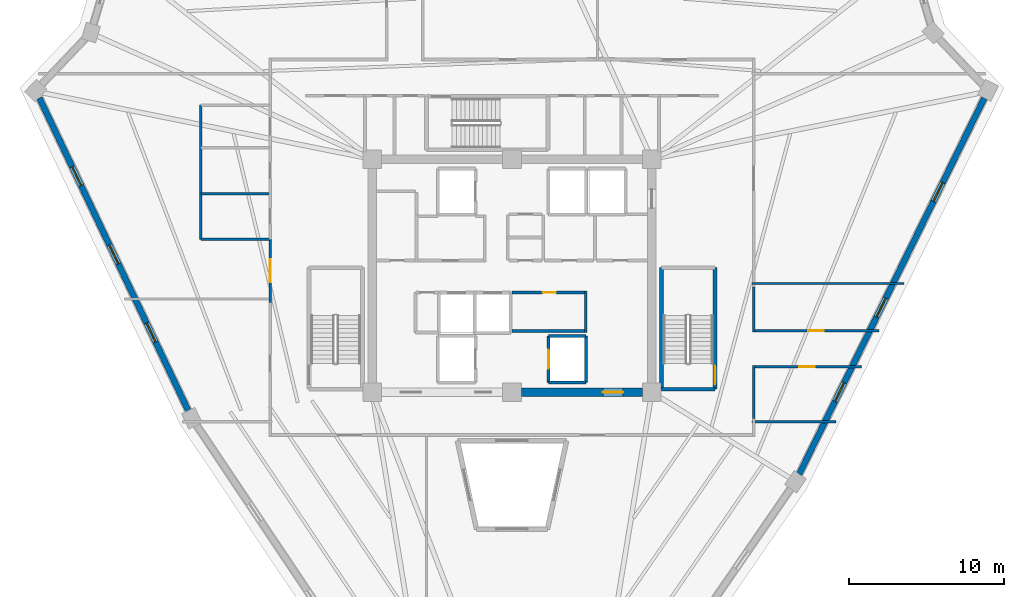
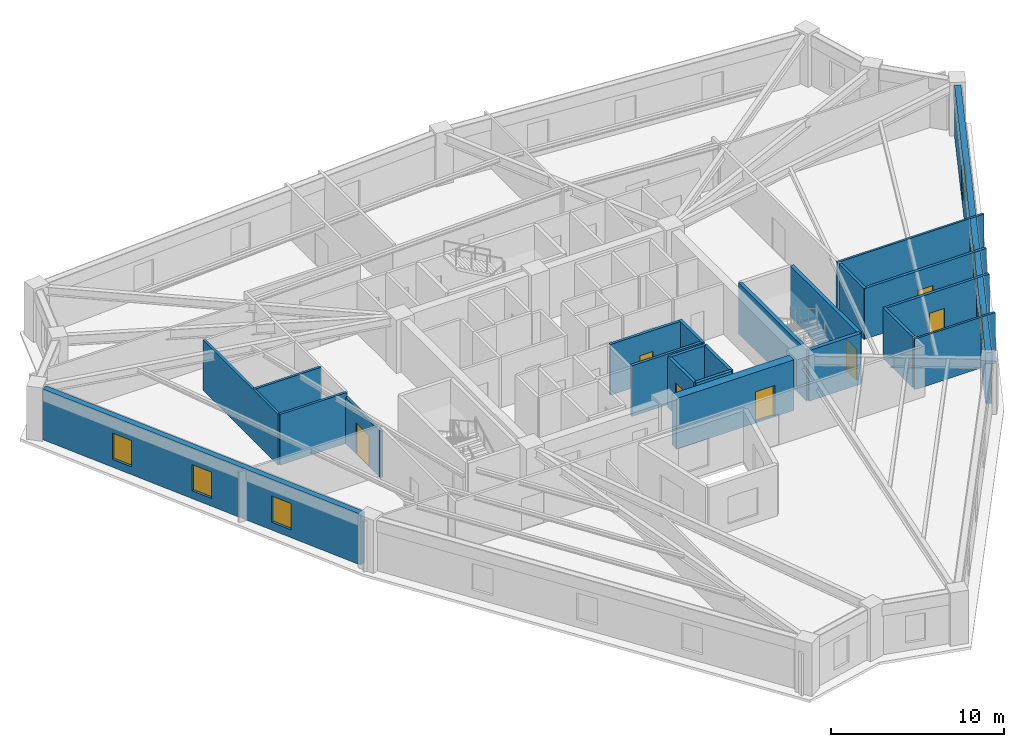
# One storey, part 4 of 8: 23 walls, 7 doors, 6 windows, 13 openings.
"""IFC4 building model written with IfcOpenShell, lengths in metres."""

from ifc_helpers import new_model, si_unit, direction, frame, frame_2d, origin, place, context, subcontext, project, spatial, rectangle, extrude, source, transform, mapped, material, layer, layer_set, type_object, element, fill, save


model = new_model("IFC4")

# Units and contexts
model_context = context("Model", 3, precision=1e-05, world=origin(), true_north=direction((0.0, 1.0)))
body_context = subcontext(model_context, "Body", "Model", "MODEL_VIEW")
ifc_project = project(units=[si_unit("LENGTHUNIT", "METRE"), si_unit("AREAUNIT", "SQUARE_METRE"), si_unit("VOLUMEUNIT", "CUBIC_METRE"), si_unit("PLANEANGLEUNIT", "RADIAN"), si_unit("MASSUNIT", "GRAM", prefix="KILO")], contexts=[model_context])

# Site, building, storey
site_placement = place(None, origin())
site = spatial("IfcSite", under=ifc_project, at=site_placement, CompositionType="ELEMENT")
building_placement = place(site_placement, origin())
building = spatial("IfcBuilding", under=site, at=building_placement, Name="Liaohun Quay Tower", CompositionType="ELEMENT")
storey_placement = place(building_placement, frame((0.0, 0.0, 294.0)))
storey = spatial("IfcBuildingStorey", under=building, at=storey_placement, Name="L76", CompositionType="ELEMENT", Elevation=294.0)

# Wall, opening, door
ifc_material_1 = material(Name="Concrete C50", Category="concrete")
ifc_layer_1 = layer(ifc_material_1, 0.550048828125, Name="Concrete C50", Category="concrete")
ifc_layer_set_1 = layer_set([ifc_layer_1], Name="Concrete C50")
wall_type_1 = type_object("IfcWallType", Name="WAL-COR-Z4", PredefinedType="SHEAR", material=ifc_layer_set_1)
wall_1_placement = place(storey_placement, frame((68.39990234375, 46.5, 0.0), z_axis=(0.0, 0.0, 1.0), x_axis=(-1.0, 0.0, 0.0)))
wall_1 = element("IfcWall", 1, at=wall_1_placement, inside=storey, type_object=wall_type_1, Name="L76 Central Core Shear Wall S-E", PredefinedType="SHEAR", context=body_context, shape_type="SweptSolid", body=[
    extrude(rectangle(XDim=7.7998046875, YDim=0.550048828125, at=frame_2d((3.89990234375, 0.0))), origin(), (0.0, 0.0, 1.0), 3.570068359375),
])
shared_shape_1 = source(origin(), body_context, "Body", "SweptSolid", [
    extrude(rectangle(XDim=1.300048828125, YDim=2.199951171875, at=frame_2d((0.64990234375, 1.10009765625))), frame((0.0, 0.284912109375, 0.0), z_axis=(0.0, -1.0, 0.0), x_axis=(1.0, 0.0, 0.0)), (0.0, 0.0, 1.0), 0.570068359375),
])
opening_1_placement = place(wall_1_placement, frame((1.25, 0.0, 0.0)))
opening_1 = element("IfcOpeningElement", 2, at=opening_1_placement, cuts=wall_1, Name="Opening FD1", PredefinedType="OPENING", context=body_context, shape_type="MappedRepresentation", body=[
    mapped(shared_shape_1, transform((0.0, 0.0, 0.0), x_axis=(1.0, 0.0, 0.0), y_axis=(0.0, 1.0, 0.0), z_axis=(0.0, 0.0, 1.0), scale=1.0)),
])
ifc_material_2 = material(Name="Galvanised steel smokeproof fire door", Category="steel")
door_type_1 = type_object("IfcDoorType", Name="DOR-FFL-1300", OperationType="NOTDEFINED", PredefinedType="DOOR", material=ifc_material_2)
shared_shape_2 = source(origin(), body_context, "Body", "SweptSolid", [
    extrude(rectangle(XDim=1.300048828125, YDim=2.199951171875, at=frame_2d((0.64990234375, 1.10009765625))), frame((0.0, 0.02490234375, 0.0), z_axis=(0.0, -1.0, 0.0), x_axis=(1.0, 0.0, 0.0)), (0.0, 0.0, 1.0), 0.050048828125),
])
door_1_placement = place(opening_1_placement, origin())
door_1 = element("IfcDoor", 3, at=door_1_placement, inside=storey, type_object=door_type_1, Name="L76 East Core Lift Lobby Smokeproof Door", OperationType="SINGLE_SWING_LEFT", OverallHeight=2.199951171875, OverallWidth=1.300048828125, PredefinedType="DOOR", context=body_context, shape_type="MappedRepresentation", body=[
    mapped(shared_shape_2, transform((0.0, 0.0, 0.0), x_axis=(1.0, 0.0, 0.0), y_axis=(0.0, 1.0, 0.0), z_axis=(0.0, 0.0, 1.0), scale=1.0)),
])
fill(opening_1, door_1)

# Wall, openings, windows
ifc_material_3 = material(Name="Precast concrete C50 insulated sandwich", Category="concrete")
ifc_layer_2 = layer(ifc_material_3, 0.3798828125, Name="Precast concrete C50 insulated sandwich", Category="concrete")
ifc_layer_set_2 = layer_set([ifc_layer_2], Name="Precast concrete C50 insulated sandwich")
wall_type_2 = type_object("IfcWallType", Name="WAL-EXT-Z34", PredefinedType="SOLIDWALL", material=ifc_layer_set_2)
wall_2_placement = place(storey_placement, frame((78.47998046875, 41.22607421875, 0.0), z_axis=(0.0, 0.0, 1.0), x_axis=(0.441646832519, 0.89718898529, 0.0)))
wall_2 = element("IfcWall", 4, at=wall_2_placement, inside=storey, type_object=wall_type_2, Name="L76 Brutalist Precast Pier Wall 03", PredefinedType="SOLIDWALL", context=body_context, shape_type="SweptSolid", body=[
    extrude(rectangle(XDim=26.987548828125, YDim=0.3798828125, at=frame_2d((13.49365234375, 0.0))), origin(), (0.0, 0.0, 1.0), 3.570068359375),
])
shared_shape_3 = source(origin(), body_context, "Body", "SweptSolid", [
    extrude(rectangle(XDim=1.35009765625, YDim=1.85009765625, at=frame_2d((0.675048828125, 0.925048828125))), frame((0.0, 0.199951171875, 0.0), z_axis=(0.0, -1.0, 0.0), x_axis=(1.0, 0.0, 0.0)), (0.0, 0.0, 1.0), 0.39990234375),
])
opening_2_placement = place(wall_2_placement, frame((5.221923828125, 0.0, 0.550048828125)))
opening_2 = element("IfcOpeningElement", 5, at=opening_2_placement, cuts=wall_2, Name="Opening W04", PredefinedType="OPENING", context=body_context, shape_type="MappedRepresentation", body=[
    mapped(shared_shape_3, transform((0.0, 0.0, 0.0), x_axis=(1.0, 0.0, 0.0), y_axis=(0.0, 1.0, 0.0), z_axis=(0.0, 0.0, 1.0), scale=1.0)),
])
opening_3_placement = place(wall_2_placement, frame((11.26904296875, 0.0, 0.550048828125)))
opening_3 = element("IfcOpeningElement", 6, at=opening_3_placement, cuts=wall_2, Name="Opening W04", PredefinedType="OPENING", context=body_context, shape_type="MappedRepresentation", body=[
    mapped(shared_shape_3, transform((0.0, 0.0, 0.0), x_axis=(1.0, 0.0, 0.0), y_axis=(0.0, 1.0, 0.0), z_axis=(0.0, 0.0, 1.0), scale=1.0)),
])
opening_4_placement = place(wall_2_placement, frame((19.56591796875, 0.0, 0.550048828125)))
opening_4 = element("IfcOpeningElement", 7, at=opening_4_placement, cuts=wall_2, Name="Opening W04", PredefinedType="OPENING", context=body_context, shape_type="MappedRepresentation", body=[
    mapped(shared_shape_3, transform((0.0, 0.0, 0.0), x_axis=(1.0, 0.0, 0.0), y_axis=(0.0, 1.0, 0.0), z_axis=(0.0, 0.0, 1.0), scale=1.0)),
])
ifc_material_4 = material(Name="Triple Low-E argon glazing in thermally broken aluminium", Category="aluminium")
window_type = type_object("IfcWindowType", Name="WIN-PUN-Z4", PartitioningType="SINGLE_PANEL", PredefinedType="WINDOW", material=ifc_material_4)
shared_shape_4 = source(origin(), body_context, "Body", "SweptSolid", [
    extrude(rectangle(XDim=1.35009765625, YDim=1.85009765625, at=frame_2d((0.675048828125, 0.925048828125))), frame((0.0, 0.030029296875, 0.0), z_axis=(0.0, -1.0, 0.0), x_axis=(1.0, 0.0, 0.0)), (0.0, 0.0, 1.0), 0.06005859375),
])
window_1_placement = place(opening_2_placement, origin())
window_1 = element("IfcWindow", 8, at=window_1_placement, inside=storey, type_object=window_type, Name="L76 Recessed Cold-Climate Punched Window 03-1", OverallHeight=1.85009765625, OverallWidth=1.35009765625, PartitioningType="SINGLE_PANEL", PredefinedType="WINDOW", context=body_context, shape_type="MappedRepresentation", body=[
    mapped(shared_shape_4, transform((0.0, 0.0, 0.0), x_axis=(1.0, 0.0, 0.0), y_axis=(0.0, 1.0, 0.0), z_axis=(0.0, 0.0, 1.0), scale=1.0)),
])
fill(opening_2, window_1)
window_2_placement = place(opening_3_placement, origin())
window_2 = element("IfcWindow", 9, at=window_2_placement, inside=storey, type_object=window_type, Name="L76 Recessed Cold-Climate Punched Window 03-2", OverallHeight=1.85009765625, OverallWidth=1.35009765625, PartitioningType="SINGLE_PANEL", PredefinedType="WINDOW", context=body_context, shape_type="MappedRepresentation", body=[
    mapped(shared_shape_4, transform((0.0, 0.0, 0.0), x_axis=(1.0, 0.0, 0.0), y_axis=(0.0, 1.0, 0.0), z_axis=(0.0, 0.0, 1.0), scale=1.0)),
])
fill(opening_3, window_2)
window_3_placement = place(opening_4_placement, origin())
window_3 = element("IfcWindow", 10, at=window_3_placement, inside=storey, type_object=window_type, Name="L76 Recessed Cold-Climate Punched Window 03-3", OverallHeight=1.85009765625, OverallWidth=1.35009765625, PartitioningType="SINGLE_PANEL", PredefinedType="WINDOW", context=body_context, shape_type="MappedRepresentation", body=[
    mapped(shared_shape_4, transform((0.0, 0.0, 0.0), x_axis=(1.0, 0.0, 0.0), y_axis=(0.0, 1.0, 0.0), z_axis=(0.0, 0.0, 1.0), scale=1.0)),
])
fill(opening_4, window_3)

wall_3_placement = place(storey_placement, frame((29.590087890625, 65.428955078125, 0.0), z_axis=(0.0, 0.0, 1.0), x_axis=(0.429890605998, -0.902880981567, 0.0)))
wall_3 = element("IfcWall", 11, at=wall_3_placement, inside=storey, type_object=wall_type_2, Name="L76 Brutalist Precast Pier Wall 10", PredefinedType="SOLIDWALL", context=body_context, shape_type="SweptSolid", body=[
    extrude(rectangle(XDim=22.27294921875, YDim=0.3798828125, at=frame_2d((11.136474609375, 0.0))), origin(), (0.0, 0.0, 1.0), 3.570068359375),
])
opening_5_placement = place(wall_3_placement, frame((4.89306640625, 0.0, 0.550048828125)))
opening_5 = element("IfcOpeningElement", 12, at=opening_5_placement, cuts=wall_3, Name="Opening W04", PredefinedType="OPENING", context=body_context, shape_type="MappedRepresentation", body=[
    mapped(shared_shape_3, transform((0.0, 0.0, 0.0), x_axis=(1.0, 0.0, 0.0), y_axis=(0.0, 1.0, 0.0), z_axis=(0.0, 0.0, 1.0), scale=1.0)),
])
opening_6_placement = place(wall_3_placement, frame((10.4619140625, 0.0, 0.550048828125)))
opening_6 = element("IfcOpeningElement", 13, at=opening_6_placement, cuts=wall_3, Name="Opening W04", PredefinedType="OPENING", context=body_context, shape_type="MappedRepresentation", body=[
    mapped(shared_shape_3, transform((0.0, 0.0, 0.0), x_axis=(1.0, 0.0, 0.0), y_axis=(0.0, 1.0, 0.0), z_axis=(0.0, 0.0, 1.0), scale=1.0)),
])
opening_7_placement = place(wall_3_placement, frame((16.030029296875, 0.0, 0.550048828125)))
opening_7 = element("IfcOpeningElement", 14, at=opening_7_placement, cuts=wall_3, Name="Opening W04", PredefinedType="OPENING", context=body_context, shape_type="MappedRepresentation", body=[
    mapped(shared_shape_3, transform((0.0, 0.0, 0.0), x_axis=(1.0, 0.0, 0.0), y_axis=(0.0, 1.0, 0.0), z_axis=(0.0, 0.0, 1.0), scale=1.0)),
])
window_4_placement = place(opening_5_placement, origin())
window_4 = element("IfcWindow", 15, at=window_4_placement, inside=storey, type_object=window_type, Name="L76 Recessed Cold-Climate Punched Window 10-1", OverallHeight=1.85009765625, OverallWidth=1.35009765625, PartitioningType="SINGLE_PANEL", PredefinedType="WINDOW", context=body_context, shape_type="MappedRepresentation", body=[
    mapped(shared_shape_4, transform((0.0, 0.0, 0.0), x_axis=(1.0, 0.0, 0.0), y_axis=(0.0, 1.0, 0.0), z_axis=(0.0, 0.0, 1.0), scale=1.0)),
])
fill(opening_5, window_4)
window_5_placement = place(opening_6_placement, origin())
window_5 = element("IfcWindow", 16, at=window_5_placement, inside=storey, type_object=window_type, Name="L76 Recessed Cold-Climate Punched Window 10-2", OverallHeight=1.85009765625, OverallWidth=1.35009765625, PartitioningType="SINGLE_PANEL", PredefinedType="WINDOW", context=body_context, shape_type="MappedRepresentation", body=[
    mapped(shared_shape_4, transform((0.0, 0.0, 0.0), x_axis=(1.0, 0.0, 0.0), y_axis=(0.0, 1.0, 0.0), z_axis=(0.0, 0.0, 1.0), scale=1.0)),
])
fill(opening_6, window_5)
window_6_placement = place(opening_7_placement, origin())
window_6 = element("IfcWindow", 17, at=window_6_placement, inside=storey, type_object=window_type, Name="L76 Recessed Cold-Climate Punched Window 10-3", OverallHeight=1.85009765625, OverallWidth=1.35009765625, PartitioningType="SINGLE_PANEL", PredefinedType="WINDOW", context=body_context, shape_type="MappedRepresentation", body=[
    mapped(shared_shape_4, transform((0.0, 0.0, 0.0), x_axis=(1.0, 0.0, 0.0), y_axis=(0.0, 1.0, 0.0), z_axis=(0.0, 0.0, 1.0), scale=1.0)),
])
fill(opening_7, window_6)

# Wall, opening, door
ifc_material_5 = material(Name="Autoclaved aerated concrete blockwork", Category="masonry")
ifc_layer_3 = layer(ifc_material_5, 0.179931640625, Name="Autoclaved aerated concrete blockwork", Category="masonry")
ifc_layer_set_3 = layer_set([ifc_layer_3], Name="Autoclaved aerated concrete blockwork")
wall_type_3 = type_object("IfcWallType", Name="WAL-PRT-COR", PredefinedType="PARTITIONING", material=ifc_layer_set_3)
wall_4_placement = place(storey_placement, frame((60.0, 52.919921875, 0.0), z_axis=(0.0, 0.0, 1.0), x_axis=(1.0, 0.0, 0.0)))
wall_4 = element("IfcWall", 18, at=wall_4_placement, inside=storey, type_object=wall_type_3, Name="L76 Interior Partition Wall 001", PredefinedType="PARTITIONING", context=body_context, shape_type="SweptSolid", body=[
    extrude(rectangle(XDim=4.659912109375, YDim=0.179931640625, at=frame_2d((2.330078125, 0.0))), origin(), (0.0, 0.0, 1.0), 3.570068359375),
])
shared_shape_5 = source(origin(), body_context, "Body", "SweptSolid", [
    extrude(rectangle(XDim=0.85009765625, YDim=2.10009765625, at=frame_2d((0.425048828125, 1.050048828125))), frame((0.0, 0.099853515625, 0.0), z_axis=(0.0, -1.0, 0.0), x_axis=(1.0, 0.0, 0.0)), (0.0, 0.0, 1.0), 0.199951171875),
])
opening_8_placement = place(wall_4_placement, frame((1.97509765625, 0.0, 0.0)))
opening_8 = element("IfcOpeningElement", 19, at=opening_8_placement, cuts=wall_4, Name="Opening AD1", PredefinedType="OPENING", context=body_context, shape_type="MappedRepresentation", body=[
    mapped(shared_shape_5, transform((0.0, 0.0, 0.0), x_axis=(1.0, 0.0, 0.0), y_axis=(0.0, 1.0, 0.0), z_axis=(0.0, 0.0, 1.0), scale=1.0)),
])
ifc_material_6 = material(Name="Steel riser inspection fire door", Category="steel")
door_type_2 = type_object("IfcDoorType", Name="DOR-SHF-850", OperationType="NOTDEFINED", PredefinedType="DOOR", material=ifc_material_6)
shared_shape_6 = source(origin(), body_context, "Body", "SweptSolid", [
    extrude(rectangle(XDim=0.85009765625, YDim=2.10009765625, at=frame_2d((0.425048828125, 1.050048828125))), frame((0.0, 0.02490234375, 0.0), z_axis=(0.0, -1.0, 0.0), x_axis=(1.0, 0.0, 0.0)), (0.0, 0.0, 1.0), 0.050048828125),
])
door_2_placement = place(opening_8_placement, origin())
door_2 = element("IfcDoor", 20, at=door_2_placement, inside=storey, type_object=door_type_2, Name="L76 Core High-Zone BMS and Switch Room Door", OperationType="SINGLE_SWING_LEFT", OverallHeight=2.10009765625, OverallWidth=0.85009765625, PredefinedType="DOOR", context=body_context, shape_type="MappedRepresentation", body=[
    mapped(shared_shape_6, transform((0.0, 0.0, 0.0), x_axis=(1.0, 0.0, 0.0), y_axis=(0.0, 1.0, 0.0), z_axis=(0.0, 0.0, 1.0), scale=1.0)),
])
fill(opening_8, door_2)

wall_5_placement = place(storey_placement, frame((44.43994140625, 52.284912109375, 0.0), z_axis=(0.0, 0.0, 1.0), x_axis=(0.0, 1.0, 0.0)))
wall_5 = element("IfcWall", 21, at=wall_5_placement, inside=storey, type_object=wall_type_3, Name="L76 Interior Partition Wall 023", PredefinedType="PARTITIONING", context=body_context, shape_type="SweptSolid", body=[
    extrude(rectangle(XDim=4.05517578125, YDim=0.179931640625, at=frame_2d((2.027587890625, 0.0))), origin(), (0.0, 0.0, 1.0), 3.260986328125),
])
shared_shape_7 = source(origin(), body_context, "Body", "SweptSolid", [
    extrude(rectangle(XDim=1.5, YDim=2.199951171875, at=frame_2d((0.75, 1.10009765625))), frame((0.0, 0.099853515625, 0.0), z_axis=(0.0, -1.0, 0.0), x_axis=(1.0, 0.0, 0.0)), (0.0, 0.0, 1.0), 0.199951171875),
])
opening_9_placement = place(wall_5_placement, frame((1.278076171875, 0.0, 0.0)))
opening_9 = element("IfcOpeningElement", 22, at=opening_9_placement, cuts=wall_5, Name="Opening OD2", PredefinedType="OPENING", context=body_context, shape_type="MappedRepresentation", body=[
    mapped(shared_shape_7, transform((0.0, 0.0, 0.0), x_axis=(1.0, 0.0, 0.0), y_axis=(0.0, 1.0, 0.0), z_axis=(0.0, 0.0, 1.0), scale=1.0)),
])
ifc_material_7 = material(Name="Acoustic oak veneer double door")
door_type_3 = type_object("IfcDoorType", Name="DOR-OFF-1500", OperationType="DOUBLE_DOOR_SINGLE_SWING", PredefinedType="DOOR", material=ifc_material_7)
shared_shape_8 = source(origin(), body_context, "Body", "SweptSolid", [
    extrude(rectangle(XDim=1.5, YDim=2.199951171875, at=frame_2d((0.75, 1.10009765625))), frame((0.0, 0.02490234375, 0.0), z_axis=(0.0, -1.0, 0.0), x_axis=(1.0, 0.0, 0.0)), (0.0, 0.0, 1.0), 0.050048828125),
])
door_3_placement = place(opening_9_placement, origin())
door_3 = element("IfcDoor", 23, at=door_3_placement, inside=storey, type_object=door_type_3, Name="L76 Occupational Wellness Clinic 05 Door", OperationType="DOUBLE_DOOR_SINGLE_SWING", OverallHeight=2.199951171875, OverallWidth=1.5, PredefinedType="DOOR", context=body_context, shape_type="MappedRepresentation", body=[
    mapped(shared_shape_8, transform((0.0, 0.0, 0.0), x_axis=(1.0, 0.0, 0.0), y_axis=(0.0, 1.0, 0.0), z_axis=(0.0, 0.0, 1.0), scale=1.0)),
])
fill(opening_9, door_3)

wall_6_placement = place(storey_placement, frame((82.47705078125, 48.139892578125, 0.0), z_axis=(0.0, 0.0, 1.0), x_axis=(-1.0, 0.0, 0.0)))
wall_6 = element("IfcWall", 24, at=wall_6_placement, inside=storey, type_object=wall_type_3, Name="L76 Interior Partition Wall 027", PredefinedType="PARTITIONING", context=body_context, shape_type="SweptSolid", body=[
    extrude(rectangle(XDim=6.987060546875, YDim=0.179931640625, at=frame_2d((3.49365234375, 0.0))), origin(), (0.0, 0.0, 1.0), 3.570068359375),
])
shared_shape_9 = source(origin(), body_context, "Body", "SweptSolid", [
    extrude(rectangle(XDim=1.0, YDim=2.199951171875, at=frame_2d((0.5, 1.10009765625))), frame((0.0, 0.099853515625, 0.0), z_axis=(0.0, -1.0, 0.0), x_axis=(1.0, 0.0, 0.0)), (0.0, 0.0, 1.0), 0.199951171875),
])
opening_10_placement = place(wall_6_placement, frame((2.993896484375, 0.0, 0.0)))
opening_10 = element("IfcOpeningElement", 25, at=opening_10_placement, cuts=wall_6, Name="Opening OD1", PredefinedType="OPENING", context=body_context, shape_type="MappedRepresentation", body=[
    mapped(shared_shape_9, transform((0.0, 0.0, 0.0), x_axis=(1.0, 0.0, 0.0), y_axis=(0.0, 1.0, 0.0), z_axis=(0.0, 0.0, 1.0), scale=1.0)),
])
ifc_material_8 = material(Name="Solid-core oak veneer timber leaf in steel frame", Category="steel")
door_type_4 = type_object("IfcDoorType", Name="DOR-OFF-1000", OperationType="NOTDEFINED", PredefinedType="DOOR", material=ifc_material_8)
shared_shape_10 = source(origin(), body_context, "Body", "SweptSolid", [
    extrude(rectangle(XDim=1.0, YDim=2.199951171875, at=frame_2d((0.5, 1.10009765625))), frame((0.0, 0.02490234375, 0.0), z_axis=(0.0, -1.0, 0.0), x_axis=(1.0, 0.0, 0.0)), (0.0, 0.0, 1.0), 0.050048828125),
])
door_4_placement = place(opening_10_placement, origin())
door_4 = element("IfcDoor", 26, at=door_4_placement, inside=storey, type_object=door_type_4, Name="L76 Records Archive Store 09 Door", OperationType="SINGLE_SWING_LEFT", OverallHeight=2.199951171875, OverallWidth=1.0, PredefinedType="DOOR", context=body_context, shape_type="MappedRepresentation", body=[
    mapped(shared_shape_10, transform((0.0, 0.0, 0.0), x_axis=(1.0, 0.0, 0.0), y_axis=(0.0, 1.0, 0.0), z_axis=(0.0, 0.0, 1.0), scale=1.0)),
])
fill(opening_10, door_4)

wall_7_placement = place(storey_placement, frame((75.489990234375, 50.4599609375, 0.0), z_axis=(0.0, 0.0, 1.0), x_axis=(1.0, 0.0, 0.0)))
wall_7 = element("IfcWall", 27, at=wall_7_placement, inside=storey, type_object=wall_type_3, Name="L76 Interior Partition Wall 028", PredefinedType="PARTITIONING", context=body_context, shape_type="SweptSolid", body=[
    extrude(rectangle(XDim=8.12890625, YDim=0.179931640625, at=frame_2d((4.064453125, 0.0))), origin(), (0.0, 0.0, 1.0), 3.570068359375),
])
opening_11_placement = place(wall_7_placement, frame((3.56494140625, 0.0, 0.0)))
opening_11 = element("IfcOpeningElement", 28, at=opening_11_placement, cuts=wall_7, Name="Opening OD1", PredefinedType="OPENING", context=body_context, shape_type="MappedRepresentation", body=[
    mapped(shared_shape_9, transform((0.0, 0.0, 0.0), x_axis=(1.0, 0.0, 0.0), y_axis=(0.0, 1.0, 0.0), z_axis=(0.0, 0.0, 1.0), scale=1.0)),
])
door_5_placement = place(opening_11_placement, origin())
door_5 = element("IfcDoor", 29, at=door_5_placement, inside=storey, type_object=door_type_4, Name="L76 Open-Plan Office Workplace 10 Door", OperationType="SINGLE_SWING_RIGHT", OverallHeight=2.199951171875, OverallWidth=1.0, PredefinedType="DOOR", context=body_context, shape_type="MappedRepresentation", body=[
    mapped(shared_shape_10, transform((0.0, 0.0, 0.0), x_axis=(1.0, 0.0, 0.0), y_axis=(0.0, 1.0, 0.0), z_axis=(0.0, 0.0, 1.0), scale=1.0)),
])
fill(opening_11, door_5)

# Walls
wall_8_placement = place(storey_placement, frame((75.56005859375, 48.2099609375, 0.0), z_axis=(0.0, 0.0, 1.0), x_axis=(0.0, -1.0, 0.0)))
element("IfcWall", 30, at=wall_8_placement, inside=storey, type_object=wall_type_3, Name="L76 Interior Partition Wall 053", PredefinedType="PARTITIONING", context=body_context, shape_type="SweptSolid", body=[
    extrude(rectangle(XDim=3.39501953125, YDim=0.179931640625, at=frame_2d((1.697509765625, 0.0))), origin(), (0.0, 0.0, 1.0), 3.570068359375),
])
wall_9_placement = place(storey_placement, frame((75.56005859375, 53.284912109375, 0.0), z_axis=(0.0, 0.0, 1.0), x_axis=(0.0, -1.0, 0.0)))
element("IfcWall", 31, at=wall_9_placement, inside=storey, type_object=wall_type_3, Name="L76 Interior Partition Wall 054", PredefinedType="PARTITIONING", context=body_context, shape_type="SweptSolid", body=[
    extrude(rectangle(XDim=2.89501953125, YDim=0.179931640625, at=frame_2d((1.447509765625, 0.0))), origin(), (0.0, 0.0, 1.0), 3.570068359375),
])
wall_10_placement = place(storey_placement, frame((64.75, 50.360107421875, 0.0), z_axis=(0.0, 0.0, 1.0), x_axis=(0.0, 1.0, 0.0)))
element("IfcWall", 32, at=wall_10_placement, inside=storey, type_object=wall_type_3, Name="L76 Interior Partition Wall 063", PredefinedType="PARTITIONING", context=body_context, shape_type="SweptSolid", body=[
    extrude(rectangle(XDim=2.64990234375, YDim=0.179931640625, at=frame_2d((1.324951171875, 0.0))), origin(), (0.0, 0.0, 1.0), 3.570068359375),
])
wall_11_placement = place(storey_placement, frame((60.0, 50.449951171875, 0.0), z_axis=(0.0, 0.0, 1.0), x_axis=(1.0, 0.0, 0.0)))
element("IfcWall", 33, at=wall_11_placement, inside=storey, type_object=wall_type_3, Name="L76 Interior Partition Wall 064", PredefinedType="PARTITIONING", context=body_context, shape_type="SweptSolid", body=[
    extrude(rectangle(XDim=4.659912109375, YDim=0.179931640625, at=frame_2d((2.330078125, 0.0))), origin(), (0.0, 0.0, 1.0), 3.570068359375),
])
ifc_material_9 = material(Name="Gypsum board on twin steel studs", Category="steel")
ifc_layer_4 = layer(ifc_material_9, 0.139892578125, Name="Gypsum board on twin steel studs", Category="steel")
ifc_layer_set_4 = layer_set([ifc_layer_4], Name="Gypsum board on twin steel studs")
wall_type_4 = type_object("IfcWallType", Name="WAL-PRT-OFF", PredefinedType="PARTITIONING", material=ifc_layer_set_4)
wall_12_placement = place(storey_placement, frame((75.4599609375, 44.60009765625, 0.0), z_axis=(0.0, 0.0, 1.0), x_axis=(1.0, 0.0, 0.0)))
element("IfcWall", 34, at=wall_12_placement, inside=storey, type_object=wall_type_4, Name="L76 Interior Partition Wall 058", PredefinedType="PARTITIONING", context=body_context, shape_type="SweptSolid", body=[
    extrude(rectangle(XDim=5.383056640625, YDim=0.139892578125, at=frame_2d((2.69140625, 0.0))), origin(), (0.0, 0.0, 1.0), 3.570068359375),
])
wall_13_placement = place(storey_placement, frame((75.4599609375, 53.5, 0.0), z_axis=(0.0, 0.0, 1.0), x_axis=(1.0, 0.0, 0.0)))
element("IfcWall", 35, at=wall_13_placement, inside=storey, type_object=wall_type_4, Name="L76 Interior Partition Wall 059", PredefinedType="PARTITIONING", context=body_context, shape_type="SweptSolid", body=[
    extrude(rectangle(XDim=9.76416015625, YDim=0.139892578125, at=frame_2d((4.882080078125, 0.0))), origin(), (0.0, 0.0, 1.0), 3.570068359375),
])
ifc_material_10 = material(Name="Moisture-resistant masonry blockwork", Category="masonry")
ifc_layer_5 = layer(ifc_material_10, 0.159912109375, Name="Moisture-resistant masonry blockwork", Category="masonry")
ifc_layer_set_5 = layer_set([ifc_layer_5], Name="Moisture-resistant masonry blockwork")
wall_type_5 = type_object("IfcWallType", Name="WAL-PRT-WET", PredefinedType="PARTITIONING", material=ifc_layer_set_5)
wall_14_placement = place(storey_placement, frame((39.97998046875, 56.340087890625, 0.0), z_axis=(0.0, 0.0, 1.0), x_axis=(0.0, 1.0, 0.0)))
element("IfcWall", 36, at=wall_14_placement, inside=storey, type_object=wall_type_5, Name="L76 Interior Partition Wall 036", PredefinedType="PARTITIONING", context=body_context, shape_type="SweptSolid", body=[
    extrude(rectangle(XDim=8.639892578125, YDim=0.159912109375, at=frame_2d((4.31982421875, 0.0))), origin(), (0.0, 0.0, 1.0), 3.570068359375),
])
for number, where, z_axis, x_axis, name in (
    (37, (39.97998046875, 56.340087890625, 0.0), (0.0, 0.0, 1.0), (1.0, 0.0, 0.0), "L76 Interior Partition Wall 037"),
    (38, (39.97998046875, 59.280029296875, 0.0), (0.0, 0.0, 1.0), (1.0, 0.0, 0.0), "L76 Interior Partition Wall 038"),
):
    element("IfcWall", number, at=place(storey_placement, frame(where, z_axis=z_axis, x_axis=x_axis)), inside=storey, type_object=wall_type_5, Name=name, PredefinedType="PARTITIONING", context=body_context, shape_type="SweptSolid", body=[
        extrude(rectangle(XDim=4.4599609375, YDim=0.159912109375, at=frame_2d((2.22998046875, 0.0))), origin(), (0.0, 0.0, 1.0), 3.570068359375),
    ])
ifc_layer_6 = layer(ifc_material_1, 0.239990234375, Name="Concrete C50", Category="concrete")
ifc_layer_set_6 = layer_set([ifc_layer_6], Name="Concrete C50")
wall_type_6 = type_object("IfcWallType", Name="WAL-SHF-200", PredefinedType="SOLIDWALL", material=ifc_layer_set_6)
wall_15_placement = place(storey_placement, frame((69.6201171875, 46.699951171875, 0.0), z_axis=(0.0, 0.0, 1.0), x_axis=(1.0, 0.0, 0.0)))
element("IfcWall", 39, at=wall_15_placement, inside=storey, type_object=wall_type_6, Name="L76 Stairwell ST-2 Structural Core Wall S", PredefinedType="SOLIDWALL", context=body_context, shape_type="SweptSolid", body=[
    extrude(rectangle(XDim=3.43994140625, YDim=0.239990234375, at=frame_2d((1.719970703125, 0.0))), origin(), (0.0, 0.0, 1.0), 3.570068359375),
])

# Wall, opening, door
wall_16_placement = place(storey_placement, frame((73.06005859375, 46.699951171875, 0.0), z_axis=(0.0, 0.0, 1.0), x_axis=(0.0, 1.0, 0.0)))
wall_16 = element("IfcWall", 40, at=wall_16_placement, inside=storey, type_object=wall_type_6, Name="L76 Stairwell ST-2 Structural Core Wall E", PredefinedType="SOLIDWALL", context=body_context, shape_type="SweptSolid", body=[
    extrude(rectangle(XDim=7.820068359375, YDim=0.239990234375, at=frame_2d((3.91015625, 0.0))), origin(), (0.0, 0.0, 1.0), 3.570068359375),
])
shared_shape_11 = source(origin(), body_context, "Body", "SweptSolid", [
    extrude(rectangle(XDim=1.199951171875, YDim=2.199951171875, at=frame_2d((0.60009765625, 1.10009765625))), frame((0.0, 0.1298828125, 0.0), z_axis=(0.0, -1.0, 0.0), x_axis=(1.0, 0.0, 0.0)), (0.0, 0.0, 1.0), 0.260009765625),
])
opening_12_placement = place(wall_16_placement, frame((0.320068359375, 0.0, 0.0)))
opening_12 = element("IfcOpeningElement", 41, at=opening_12_placement, cuts=wall_16, Name="Opening SD1", PredefinedType="OPENING", context=body_context, shape_type="MappedRepresentation", body=[
    mapped(shared_shape_11, transform((0.0, 0.0, 0.0), x_axis=(1.0, 0.0, 0.0), y_axis=(0.0, 1.0, 0.0), z_axis=(0.0, 0.0, 1.0), scale=1.0)),
])
ifc_material_11 = material(Name="Galvanised steel fire door", Category="steel")
door_type_5 = type_object("IfcDoorType", Name="DOR-STR-1200", OperationType="NOTDEFINED", PredefinedType="DOOR", material=ifc_material_11)
shared_shape_12 = source(origin(), body_context, "Body", "SweptSolid", [
    extrude(rectangle(XDim=1.199951171875, YDim=2.199951171875, at=frame_2d((0.60009765625, 1.10009765625))), frame((0.0, 0.02490234375, 0.0), z_axis=(0.0, -1.0, 0.0), x_axis=(1.0, 0.0, 0.0)), (0.0, 0.0, 1.0), 0.050048828125),
])
door_6_placement = place(opening_12_placement, origin())
door_6 = element("IfcDoor", 42, at=door_6_placement, inside=storey, type_object=door_type_5, Name="L76 Protected Stair ST-2 Fire Door", OperationType="SINGLE_SWING_RIGHT", OverallHeight=2.199951171875, OverallWidth=1.199951171875, PredefinedType="DOOR", context=body_context, shape_type="MappedRepresentation", body=[
    mapped(shared_shape_12, transform((0.0, 0.0, 0.0), x_axis=(1.0, 0.0, 0.0), y_axis=(0.0, 1.0, 0.0), z_axis=(0.0, 0.0, 1.0), scale=1.0)),
])
fill(opening_12, door_6)

# Walls
wall_17_placement = place(storey_placement, frame((69.6201171875, 54.52001953125, 0.0), z_axis=(0.0, 0.0, 1.0), x_axis=(0.0, -1.0, 0.0)))
element("IfcWall", 43, at=wall_17_placement, inside=storey, type_object=wall_type_6, Name="L76 Stairwell ST-2 Structural Core Wall W", PredefinedType="SOLIDWALL", context=body_context, shape_type="SweptSolid", body=[
    extrude(rectangle(XDim=7.820068359375, YDim=0.239990234375, at=frame_2d((3.91015625, 0.0))), origin(), (0.0, 0.0, 1.0), 3.570068359375),
])
wall_18_placement = place(storey_placement, frame((62.35009765625, 47.1201171875, 0.0), z_axis=(0.0, 0.0, 1.0), x_axis=(1.0, 0.0, 0.0)))
element("IfcWall", 44, at=wall_18_placement, inside=storey, type_object=wall_type_6, Name="L76 Lift FF-02 Hoistway Wall S", PredefinedType="SOLIDWALL", context=body_context, shape_type="SweptSolid", body=[
    extrude(rectangle(XDim=2.39990234375, YDim=0.199951171875, at=frame_2d((1.199951171875, 0.0))), origin(), (0.0, 0.0, 1.0), 3.570068359375),
])
wall_19_placement = place(storey_placement, frame((64.75, 47.1201171875, 0.0), z_axis=(0.0, 0.0, 1.0), x_axis=(0.0, 1.0, 0.0)))
element("IfcWall", 45, at=wall_19_placement, inside=storey, type_object=wall_type_6, Name="L76 Lift FF-02 Hoistway Wall E", PredefinedType="SOLIDWALL", context=body_context, shape_type="SweptSolid", body=[
    extrude(rectangle(XDim=3.0, YDim=0.199951171875, at=frame_2d((1.5, 0.0))), origin(), (0.0, 0.0, 1.0), 3.570068359375),
])
wall_20_placement = place(storey_placement, frame((64.75, 50.1201171875, 0.0), z_axis=(0.0, 0.0, 1.0), x_axis=(-1.0, 0.0, 0.0)))
element("IfcWall", 46, at=wall_20_placement, inside=storey, type_object=wall_type_6, Name="L76 Lift FF-02 Hoistway Wall N", PredefinedType="SOLIDWALL", context=body_context, shape_type="SweptSolid", body=[
    extrude(rectangle(XDim=2.39990234375, YDim=0.199951171875, at=frame_2d((1.199951171875, 0.0))), origin(), (0.0, 0.0, 1.0), 3.570068359375),
])

# Wall, opening, door
wall_21_placement = place(storey_placement, frame((62.35009765625, 50.1201171875, 0.0), z_axis=(0.0, 0.0, 1.0), x_axis=(0.0, -1.0, 0.0)))
wall_21 = element("IfcWall", 47, at=wall_21_placement, inside=storey, type_object=wall_type_6, Name="L76 Lift FF-02 Hoistway Wall W", PredefinedType="SOLIDWALL", context=body_context, shape_type="SweptSolid", body=[
    extrude(rectangle(XDim=3.0, YDim=0.199951171875, at=frame_2d((1.5, 0.0))), origin(), (0.0, 0.0, 1.0), 3.570068359375),
])
shared_shape_13 = source(origin(), body_context, "Body", "SweptSolid", [
    extrude(rectangle(XDim=1.199951171875, YDim=2.300048828125, at=frame_2d((0.60009765625, 1.14990234375))), frame((0.0, 0.10986328125, 0.0), z_axis=(0.0, -1.0, 0.0), x_axis=(1.0, 0.0, 0.0)), (0.0, 0.0, 1.0), 0.219970703125),
])
opening_13_placement = place(wall_21_placement, frame((0.89990234375, 0.0, 0.0)))
opening_13 = element("IfcOpeningElement", 48, at=opening_13_placement, cuts=wall_21, Name="Opening LD2", PredefinedType="OPENING", context=body_context, shape_type="MappedRepresentation", body=[
    mapped(shared_shape_13, transform((0.0, 0.0, 0.0), x_axis=(1.0, 0.0, 0.0), y_axis=(0.0, 1.0, 0.0), z_axis=(0.0, 0.0, 1.0), scale=1.0)),
])
ifc_material_12 = material(Name="Brushed stainless steel stretcher landing door", Category="steel")
door_type_6 = type_object("IfcDoorType", Name="DOR-LFT-1200", OperationType="SLIDING_TO_LEFT", PredefinedType="DOOR", material=ifc_material_12)
shared_shape_14 = source(origin(), body_context, "Body", "SweptSolid", [
    extrude(rectangle(XDim=1.199951171875, YDim=2.300048828125, at=frame_2d((0.60009765625, 1.14990234375))), frame((0.0, 0.02490234375, 0.0), z_axis=(0.0, -1.0, 0.0), x_axis=(1.0, 0.0, 0.0)), (0.0, 0.0, 1.0), 0.050048828125),
])
door_7_placement = place(opening_13_placement, origin())
door_7 = element("IfcDoor", 49, at=door_7_placement, inside=storey, type_object=door_type_6, Name="L76 Lift FF-02 Sliding Landing Door", OperationType="SLIDING_TO_LEFT", OverallHeight=2.300048828125, OverallWidth=1.199951171875, PredefinedType="DOOR", context=body_context, shape_type="MappedRepresentation", body=[
    mapped(shared_shape_14, transform((0.0, 0.0, 0.0), x_axis=(1.0, 0.0, 0.0), y_axis=(0.0, 1.0, 0.0), z_axis=(0.0, 0.0, 1.0), scale=1.0)),
])
fill(opening_13, door_7)

save(model, "model.ifc")
